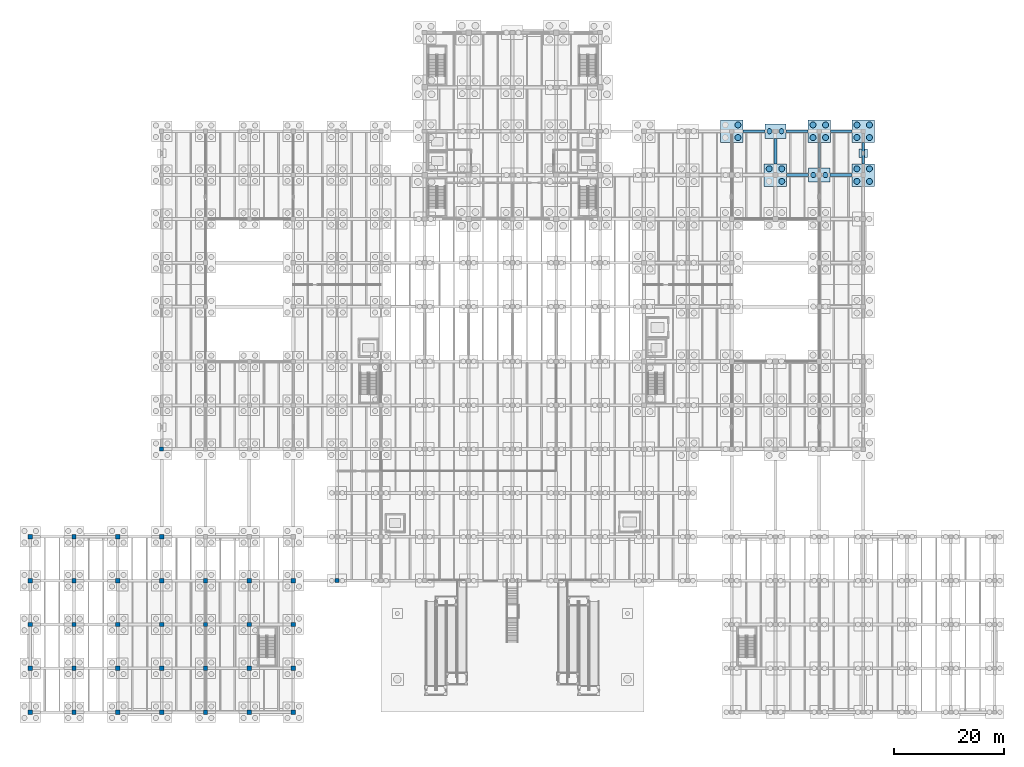
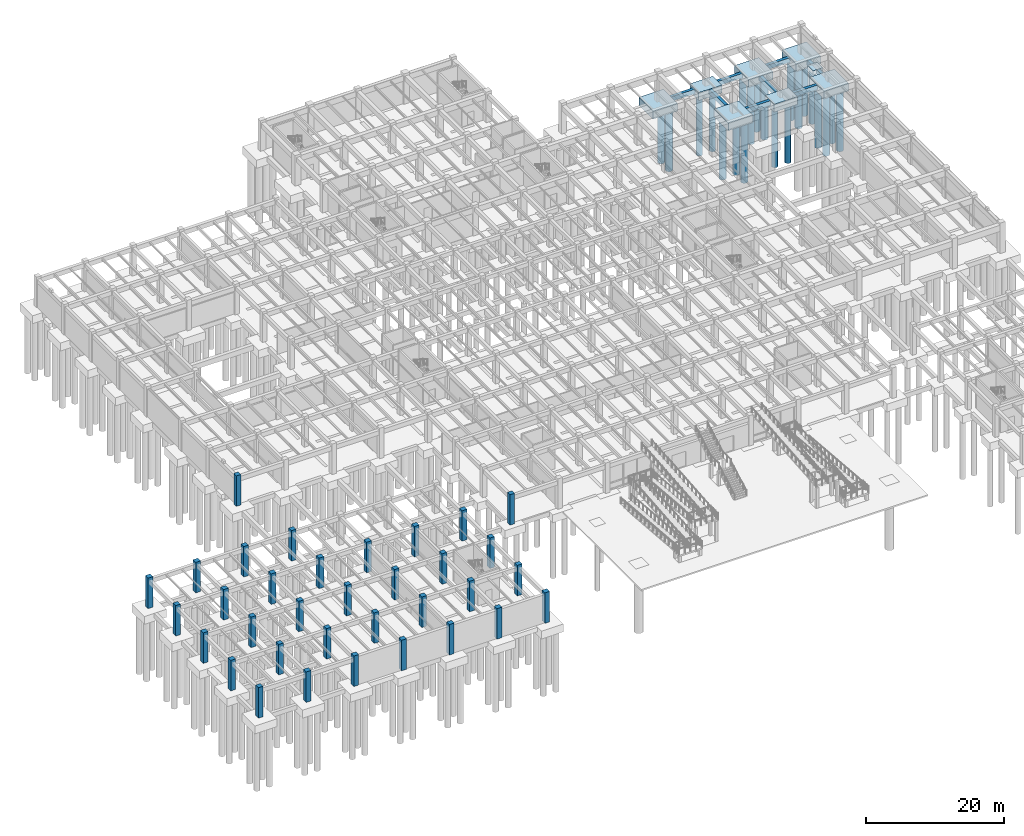
# One storey, part 9 of 44: 34 columns, 21 piles, 16 footings.
"""IFC4 building model written with IfcOpenShell, lengths in metres."""

from ifc_helpers import new_model, si_unit, direction, frame, origin, origin_2d, place, context, subcontext, project, spatial, rectangle, circle, extrude, material, material_profile, profile_set, type_object, element, save


model = new_model("IFC4")

# Units and contexts
model_context = context("Model", 3, precision=1e-05, world=origin(), true_north=direction((0.0, 1.0)))
body_context = subcontext(model_context, "Body", "Model", "MODEL_VIEW")
ifc_project = project(units=[si_unit("LENGTHUNIT", "METRE"), si_unit("AREAUNIT", "SQUARE_METRE"), si_unit("VOLUMEUNIT", "CUBIC_METRE"), si_unit("PLANEANGLEUNIT", "RADIAN"), si_unit("MASSUNIT", "GRAM", prefix="KILO")], contexts=[model_context])

# Site, building, storey
site_placement = place(None, origin())
site = spatial("IfcSite", under=ifc_project, at=site_placement, CompositionType="ELEMENT")
building_placement = place(site_placement, origin())
building = spatial("IfcBuilding", under=site, at=building_placement, Name="Pecanmere Concourse Central Library", CompositionType="ELEMENT")
storey_placement = place(building_placement, frame((0.0, 0.0, -5.39990234375)))
storey = spatial("IfcBuildingStorey", under=building, at=storey_placement, Name="B1", CompositionType="ELEMENT", Elevation=-5.39990234375)

# Footings
ifc_material_1 = material(Name="Concrete C40/50", Category="concrete")
ifc_material_profile_1 = material_profile(ifc_material_1, rectangle(XDim=0.5, YDim=0.800048828125, at=origin_2d()), Name="RC 500x800")
ifc_profile_set_1 = profile_set([ifc_material_profile_1], Name="Concrete C40/50")
footing_type_1 = type_object("IfcFootingType", Name="GBEAM_500x800", PredefinedType="FOOTING_BEAM", material=ifc_profile_set_1)
for number, where, z_axis, x_axis, name in (
    (1, (140.050048828125, 98.0, -0.80029296875), (0.0, 0.0, 1.0), (1.0, 0.0, 0.0), "Foundation Tie Beam X-195"),
    (2, (147.949951171875, 98.0, -0.80029296875), (0.0, 0.0, 1.0), (1.0, 0.0, 0.0), "Foundation Tie Beam X-196"),
    (3, (132.050048828125, 106.0, -0.80029296875), (0.0, 0.0, 1.0), (1.0, 0.0, 0.0), "Foundation Tie Beam X-210"),
    (4, (139.949951171875, 106.0, -0.80029296875), (0.0, 0.0, 1.0), (1.0, 0.0, 0.0), "Foundation Tie Beam X-211"),
):
    element("IfcFooting", number, at=place(storey_placement, frame(where, z_axis=z_axis, x_axis=x_axis)), inside=storey, type_object=footing_type_1, Name=name, PredefinedType="FOOTING_BEAM", context=body_context, shape_type="SweptSolid", body=[
        extrude(rectangle(XDim=4.0, YDim=0.5, at=origin_2d()), origin(), (0.0, 0.0, 1.0), 0.800048828125),
    ])
footing_1_placement = place(storey_placement, frame((148.0, 106.0, -0.80029296875), z_axis=(0.0, 0.0, 1.0), x_axis=(1.0, 0.0, 0.0)))
element("IfcFooting", 5, at=footing_1_placement, inside=storey, type_object=footing_type_1, Name="Foundation Tie Beam X-212", PredefinedType="FOOTING_BEAM", context=body_context, shape_type="SweptSolid", body=[
    extrude(rectangle(XDim=3.89990234375, YDim=0.5, at=origin_2d()), origin(), (0.0, 0.0, 1.0), 0.800048828125),
])
for number, where, z_axis, x_axis, name in (
    (6, (136.0, 102.375, -0.80029296875), (0.0, 0.0, 1.0), (0.0, 1.0, 0.0), "Foundation Tie Beam Y-398"),
    (7, (144.0, 101.625, -0.80029296875), (0.0, 0.0, 1.0), (0.0, 1.0, 0.0), "Foundation Tie Beam Y-410"),
):
    element("IfcFooting", number, at=place(storey_placement, frame(where, z_axis=z_axis, x_axis=x_axis)), inside=storey, type_object=footing_type_1, Name=name, PredefinedType="FOOTING_BEAM", context=body_context, shape_type="SweptSolid", body=[
        extrude(rectangle(XDim=4.64990234375, YDim=0.5, at=origin_2d()), origin(), (0.0, 0.0, 1.0), 0.800048828125),
    ])
footing_2_placement = place(storey_placement, frame((152.0, 102.0, -0.80029296875), z_axis=(0.0, 0.0, 1.0), x_axis=(0.0, 1.0, 0.0)))
element("IfcFooting", 8, at=footing_2_placement, inside=storey, type_object=footing_type_1, Name="Foundation Tie Beam Y-422", PredefinedType="FOOTING_BEAM", context=body_context, shape_type="SweptSolid", body=[
    extrude(rectangle(XDim=3.89990234375, YDim=0.5, at=origin_2d()), origin(), (0.0, 0.0, 1.0), 0.800048828125),
])
ifc_material_2 = material(Name="Concrete C35/45", Category="concrete")
footing_type_2 = type_object("IfcFootingType", Name="PAD_1600x1600", PredefinedType="PAD_FOOTING", material=ifc_material_2)
footing_3_placement = place(storey_placement, frame((152.0, 102.0, -0.75), z_axis=(0.0, 0.0, 1.0), x_axis=(1.0, 0.0, 0.0)))
element("IfcFooting", 9, at=footing_3_placement, inside=storey, type_object=footing_type_2, Name="Pilaster Pad Footing 04", PredefinedType="PAD_FOOTING", context=body_context, shape_type="SweptSolid", body=[
    extrude(rectangle(XDim=1.60009765625, YDim=1.60009765625, at=origin_2d()), origin(), (0.0, 0.0, 1.0), 0.75),
])
ifc_material_3 = material(Name="Concrete C40/50", Category="concrete")
footing_type_3 = type_object("IfcFootingType", Name="PCAP_3900x2600", PredefinedType="PILE_CAP", material=ifc_material_3)
for number, where, z_axis, x_axis, name in (
    (10, (136.0, 106.0, -1.400146484375), (0.0, 0.0, 1.0), (1.0, 0.0, 0.0), "Drilled Pier Cap PC-04 at (136,106)"),
    (11, (144.0, 98.0, -1.400146484375), (0.0, 0.0, 1.0), (1.0, 0.0, 0.0), "Drilled Pier Cap PC-04 at (144,98)"),
):
    element("IfcFooting", number, at=place(storey_placement, frame(where, z_axis=z_axis, x_axis=x_axis)), inside=storey, type_object=footing_type_3, Name=name, PredefinedType="PILE_CAP", context=body_context, shape_type="SweptSolid", body=[
        extrude(rectangle(XDim=3.89990234375, YDim=2.60009765625, at=origin_2d()), origin(), (0.0, 0.0, 1.0), 1.39990234375),
    ])
ifc_material_4 = material(Name="Concrete C40/50", Category="concrete")
footing_type_4 = type_object("IfcFootingType", Name="PCAP_4100x4100", PredefinedType="PILE_CAP", material=ifc_material_4)
for number, where, z_axis, x_axis, name in (
    (12, (128.0, 106.0, -1.400146484375), (0.0, 0.0, 1.0), (1.0, 0.0, 0.0), "Drilled Pier Cap PC-02 at (128,106)"),
    (13, (136.0, 98.0, -1.400146484375), (0.0, 0.0, 1.0), (1.0, 0.0, 0.0), "Drilled Pier Cap PC-02 at (136,98)"),
    (14, (144.0, 106.0, -1.400146484375), (0.0, 0.0, 1.0), (1.0, 0.0, 0.0), "Drilled Pier Cap PC-02 at (144,106)"),
    (15, (152.0, 98.0, -1.400146484375), (0.0, 0.0, 1.0), (1.0, 0.0, 0.0), "Drilled Pier Cap PC-02 at (152,98)"),
    (16, (152.0, 106.0, -1.400146484375), (0.0, 0.0, 1.0), (1.0, 0.0, 0.0), "Drilled Pier Cap PC-02 at (152,106)"),
):
    element("IfcFooting", number, at=place(storey_placement, frame(where, z_axis=z_axis, x_axis=x_axis)), inside=storey, type_object=footing_type_4, Name=name, PredefinedType="PILE_CAP", context=body_context, shape_type="SweptSolid", body=[
        extrude(rectangle(XDim=4.10009765625, YDim=4.10009765625, at=origin_2d()), origin(), (0.0, 0.0, 1.0), 1.39990234375),
    ])

# Piles
ifc_material_5 = material(Name="Concrete C35/45", Category="concrete")
ifc_material_profile_2 = material_profile(ifc_material_5, circle(Radius=0.550048828125, at=origin_2d()), Name="PIER D1100")
ifc_profile_set_2 = profile_set([ifc_material_profile_2], Name="Concrete C35/45")
pile_type_1 = type_object("IfcPileType", Name="PILE_D1100", PredefinedType="BORED", material=ifc_profile_set_2)
for number, where, z_axis, x_axis, name in (
    (17, (129.14990234375, 104.85009765625, -1.300048828125), (0.0, 0.0, -1.0), (1.0, 0.0, 0.0), "Bored Pier PL-03 187.2"),
    (18, (129.14990234375, 107.14990234375, -1.300048828125), (0.0, 0.0, -1.0), (1.0, 0.0, 0.0), "Bored Pier PL-03 187.4"),
    (19, (137.14990234375, 96.85009765625, -1.300048828125), (0.0, 0.0, -1.0), (1.0, 0.0, 0.0), "Bored Pier PL-03 197.2"),
    (20, (134.85009765625, 99.14990234375, -1.300048828125), (0.0, 0.0, -1.0), (1.0, 0.0, 0.0), "Bored Pier PL-03 197.3"),
    (21, (137.14990234375, 99.14990234375, -1.300048828125), (0.0, 0.0, -1.0), (1.0, 0.0, 0.0), "Bored Pier PL-03 197.4"),
    (22, (142.85009765625, 104.85009765625, -1.300048828125), (0.0, 0.0, -1.0), (1.0, 0.0, 0.0), "Bored Pier PL-03 211.1"),
    (23, (145.14990234375, 104.85009765625, -1.300048828125), (0.0, 0.0, -1.0), (1.0, 0.0, 0.0), "Bored Pier PL-03 211.2"),
    (24, (142.85009765625, 107.14990234375, -1.300048828125), (0.0, 0.0, -1.0), (1.0, 0.0, 0.0), "Bored Pier PL-03 211.3"),
    (25, (145.14990234375, 107.14990234375, -1.300048828125), (0.0, 0.0, -1.0), (1.0, 0.0, 0.0), "Bored Pier PL-03 211.4"),
    (26, (150.85009765625, 96.85009765625, -1.300048828125), (0.0, 0.0, -1.0), (1.0, 0.0, 0.0), "Bored Pier PL-03 223.1"),
    (27, (153.14990234375, 96.85009765625, -1.300048828125), (0.0, 0.0, -1.0), (1.0, 0.0, 0.0), "Bored Pier PL-03 223.2"),
    (28, (150.85009765625, 99.14990234375, -1.300048828125), (0.0, 0.0, -1.0), (1.0, 0.0, 0.0), "Bored Pier PL-03 223.3"),
    (29, (153.14990234375, 99.14990234375, -1.300048828125), (0.0, 0.0, -1.0), (1.0, 0.0, 0.0), "Bored Pier PL-03 223.4"),
    (30, (150.85009765625, 104.85009765625, -1.300048828125), (0.0, 0.0, -1.0), (1.0, 0.0, 0.0), "Bored Pier PL-03 224.1"),
    (31, (153.14990234375, 104.85009765625, -1.300048828125), (0.0, 0.0, -1.0), (1.0, 0.0, 0.0), "Bored Pier PL-03 224.2"),
    (32, (150.85009765625, 107.14990234375, -1.300048828125), (0.0, 0.0, -1.0), (1.0, 0.0, 0.0), "Bored Pier PL-03 224.3"),
    (33, (153.14990234375, 107.14990234375, -1.300048828125), (0.0, 0.0, -1.0), (1.0, 0.0, 0.0), "Bored Pier PL-03 224.4"),
):
    element("IfcPile", number, at=place(storey_placement, frame(where, z_axis=z_axis, x_axis=x_axis)), inside=storey, type_object=pile_type_1, Name=name, PredefinedType="BORED", context=body_context, shape_type="SweptSolid", body=[
        extrude(circle(Radius=0.550048828125, at=origin_2d()), origin(), (0.0, 0.0, 1.0), 10.699951171875),
    ])
ifc_material_6 = material(Name="Concrete C35/45", Category="concrete")
ifc_material_profile_3 = material_profile(ifc_material_6, circle(Radius=0.47509765625, at=origin_2d()), Name="PIER D950")
ifc_profile_set_3 = profile_set([ifc_material_profile_3], Name="Concrete C35/45")
pile_type_2 = type_object("IfcPileType", Name="PILE_D950", PredefinedType="BORED", material=ifc_profile_set_3)
for number, where, z_axis, x_axis, name in (
    (34, (134.89990234375, 106.0, -1.300048828125), (0.0, 0.0, -1.0), (1.0, 0.0, 0.0), "Bored Pier PL-04 198.1"),
    (35, (137.10009765625, 106.0, -1.300048828125), (0.0, 0.0, -1.0), (1.0, 0.0, 0.0), "Bored Pier PL-04 198.2"),
    (36, (142.89990234375, 98.0, -1.300048828125), (0.0, 0.0, -1.0), (1.0, 0.0, 0.0), "Bored Pier PL-04 210.1"),
    (37, (145.10009765625, 98.0, -1.300048828125), (0.0, 0.0, -1.0), (1.0, 0.0, 0.0), "Bored Pier PL-04 210.2"),
):
    element("IfcPile", number, at=place(storey_placement, frame(where, z_axis=z_axis, x_axis=x_axis)), inside=storey, type_object=pile_type_2, Name=name, PredefinedType="BORED", context=body_context, shape_type="SweptSolid", body=[
        extrude(circle(Radius=0.47509765625, at=origin_2d()), origin(), (0.0, 0.0, 1.0), 10.699951171875),
    ])

# Columns
ifc_material_7 = material(Name="Concrete C40/50", Category="concrete")
ifc_material_profile_4 = material_profile(ifc_material_7, rectangle(XDim=0.75, YDim=0.75, at=origin_2d()), Name="RC 750x750")
ifc_profile_set_4 = profile_set([ifc_material_profile_4], Name="Concrete C40/50")
column_type_1 = type_object("IfcColumnType", Name="COL_RC_750x750", PredefinedType="COLUMN", material=ifc_profile_set_4)
for number, where, z_axis, x_axis, name in (
    (38, (24.0, 48.0, 0.0), (0.0, 0.0, 1.0), (1.0, 0.0, 0.0), "Column C-05 B1-021"),
    (39, (56.0, 24.0, 0.0), (0.0, 0.0, 1.0), (1.0, 0.0, 0.0), "Column C-05 B1-066"),
):
    element("IfcColumn", number, at=place(storey_placement, frame(where, z_axis=z_axis, x_axis=x_axis)), inside=storey, type_object=column_type_1, Name=name, PredefinedType="COLUMN", context=body_context, shape_type="SweptSolid", body=[
        extrude(rectangle(XDim=0.75, YDim=0.75, at=origin_2d()), origin(), (0.0, 0.0, 1.0), 5.39990234375),
    ])
ifc_material_8 = material(Name="Concrete C40/50", Category="concrete")
ifc_material_profile_5 = material_profile(ifc_material_8, rectangle(XDim=0.800048828125, YDim=0.800048828125, at=origin_2d()), Name="RC 800x800")
ifc_profile_set_5 = profile_set([ifc_material_profile_5], Name="Concrete C40/50")
column_type_2 = type_object("IfcColumnType", Name="COL_RC_800x800", PredefinedType="COLUMN", material=ifc_profile_set_5)
for number, where, z_axis, x_axis, name in (
    (40, (0.0, 0.0, 0.0), (0.0, 0.0, 1.0), (1.0, 0.0, 0.0), "Column C-04 B1-001"),
    (41, (0.0, 8.0, 0.0), (0.0, 0.0, 1.0), (1.0, 0.0, 0.0), "Column C-04 B1-002"),
    (42, (0.0, 16.0, 0.0), (0.0, 0.0, 1.0), (1.0, 0.0, 0.0), "Column C-04 B1-003"),
    (43, (0.0, 24.0, 0.0), (0.0, 0.0, 1.0), (1.0, 0.0, 0.0), "Column C-04 B1-004"),
    (44, (0.0, 32.0, 0.0), (0.0, 0.0, 1.0), (1.0, 0.0, 0.0), "Column C-04 B1-005"),
    (45, (8.0, 0.0, 0.0), (0.0, 0.0, 1.0), (1.0, 0.0, 0.0), "Column C-04 B1-006"),
    (46, (8.0, 8.0, 0.0), (0.0, 0.0, 1.0), (1.0, 0.0, 0.0), "Column C-04 B1-007"),
    (47, (8.0, 16.0, 0.0), (0.0, 0.0, 1.0), (1.0, 0.0, 0.0), "Column C-04 B1-008"),
    (48, (8.0, 24.0, 0.0), (0.0, 0.0, 1.0), (1.0, 0.0, 0.0), "Column C-04 B1-009"),
    (49, (8.0, 32.0, 0.0), (0.0, 0.0, 1.0), (1.0, 0.0, 0.0), "Column C-04 B1-010"),
    (50, (16.0, 0.0, 0.0), (0.0, 0.0, 1.0), (1.0, 0.0, 0.0), "Column C-04 B1-011"),
    (51, (16.0, 8.0, 0.0), (0.0, 0.0, 1.0), (1.0, 0.0, 0.0), "Column C-04 B1-012"),
    (52, (16.0, 16.0, 0.0), (0.0, 0.0, 1.0), (1.0, 0.0, 0.0), "Column C-04 B1-013"),
    (53, (16.0, 24.0, 0.0), (0.0, 0.0, 1.0), (1.0, 0.0, 0.0), "Column C-04 B1-014"),
    (54, (16.0, 32.0, 0.0), (0.0, 0.0, 1.0), (1.0, 0.0, 0.0), "Column C-04 B1-015"),
    (55, (24.0, 0.0, 0.0), (0.0, 0.0, 1.0), (1.0, 0.0, 0.0), "Column C-04 B1-016"),
    (56, (24.0, 8.0, 0.0), (0.0, 0.0, 1.0), (1.0, 0.0, 0.0), "Column C-04 B1-017"),
    (57, (24.0, 16.0, 0.0), (0.0, 0.0, 1.0), (1.0, 0.0, 0.0), "Column C-04 B1-018"),
    (58, (24.0, 24.0, 0.0), (0.0, 0.0, 1.0), (1.0, 0.0, 0.0), "Column C-04 B1-019"),
    (59, (24.0, 32.0, 0.0), (0.0, 0.0, 1.0), (1.0, 0.0, 0.0), "Column C-04 B1-020"),
    (60, (32.0, 0.0, 0.0), (0.0, 0.0, 1.0), (1.0, 0.0, 0.0), "Column C-04 B1-029"),
    (61, (32.0, 8.0, 0.0), (0.0, 0.0, 1.0), (1.0, 0.0, 0.0), "Column C-04 B1-030"),
    (62, (32.0, 16.0, 0.0), (0.0, 0.0, 1.0), (1.0, 0.0, 0.0), "Column C-04 B1-031"),
    (63, (32.0, 24.0, 0.0), (0.0, 0.0, 1.0), (1.0, 0.0, 0.0), "Column C-04 B1-032"),
    (64, (40.0, 0.0, 0.0), (0.0, 0.0, 1.0), (1.0, 0.0, 0.0), "Column C-04 B1-042"),
    (65, (40.0, 8.0, 0.0), (0.0, 0.0, 1.0), (1.0, 0.0, 0.0), "Column C-04 B1-043"),
    (66, (40.0, 16.0, 0.0), (0.0, 0.0, 1.0), (1.0, 0.0, 0.0), "Column C-04 B1-044"),
    (67, (40.0, 24.0, 0.0), (0.0, 0.0, 1.0), (1.0, 0.0, 0.0), "Column C-04 B1-045"),
    (68, (48.0, 0.0, 0.0), (0.0, 0.0, 1.0), (1.0, 0.0, 0.0), "Column C-04 B1-053"),
    (69, (48.0, 8.0, 0.0), (0.0, 0.0, 1.0), (1.0, 0.0, 0.0), "Column C-04 B1-054"),
    (70, (48.0, 16.0, 0.0), (0.0, 0.0, 1.0), (1.0, 0.0, 0.0), "Column C-04 B1-055"),
    (71, (48.0, 24.0, 0.0), (0.0, 0.0, 1.0), (1.0, 0.0, 0.0), "Column C-04 B1-056"),
):
    element("IfcColumn", number, at=place(storey_placement, frame(where, z_axis=z_axis, x_axis=x_axis)), inside=storey, type_object=column_type_2, Name=name, PredefinedType="COLUMN", context=body_context, shape_type="SweptSolid", body=[
        extrude(rectangle(XDim=0.800048828125, YDim=0.800048828125, at=origin_2d()), origin(), (0.0, 0.0, 1.0), 5.39990234375),
    ])

save(model, "model.ifc")
